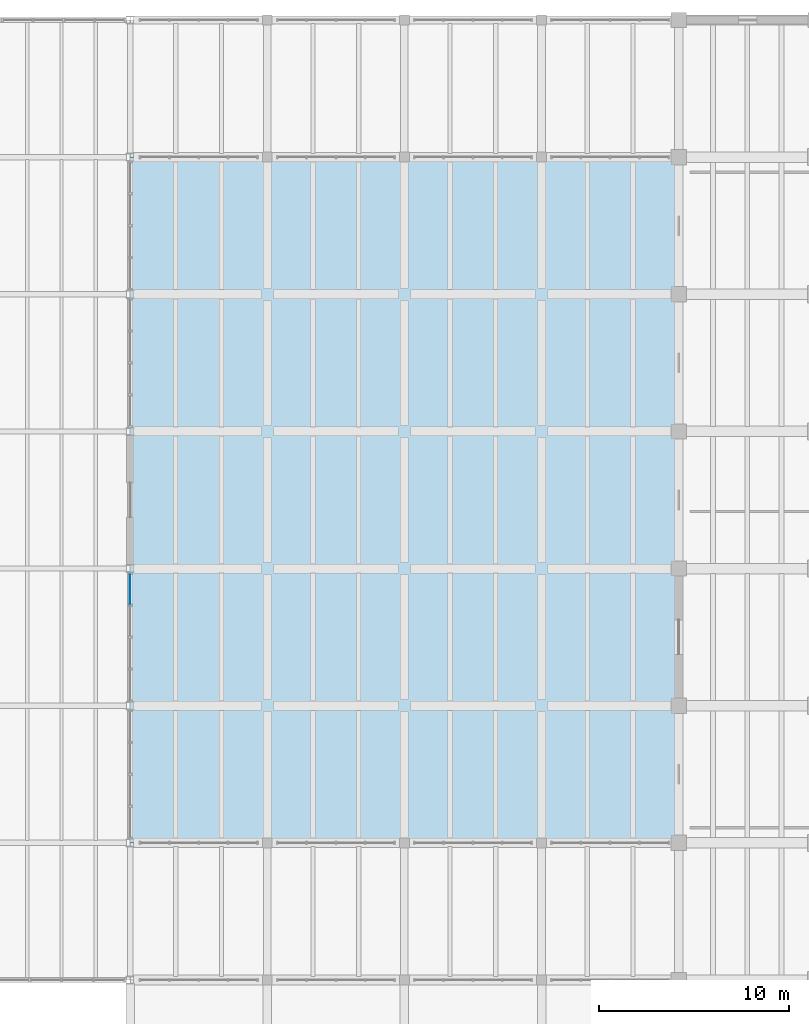
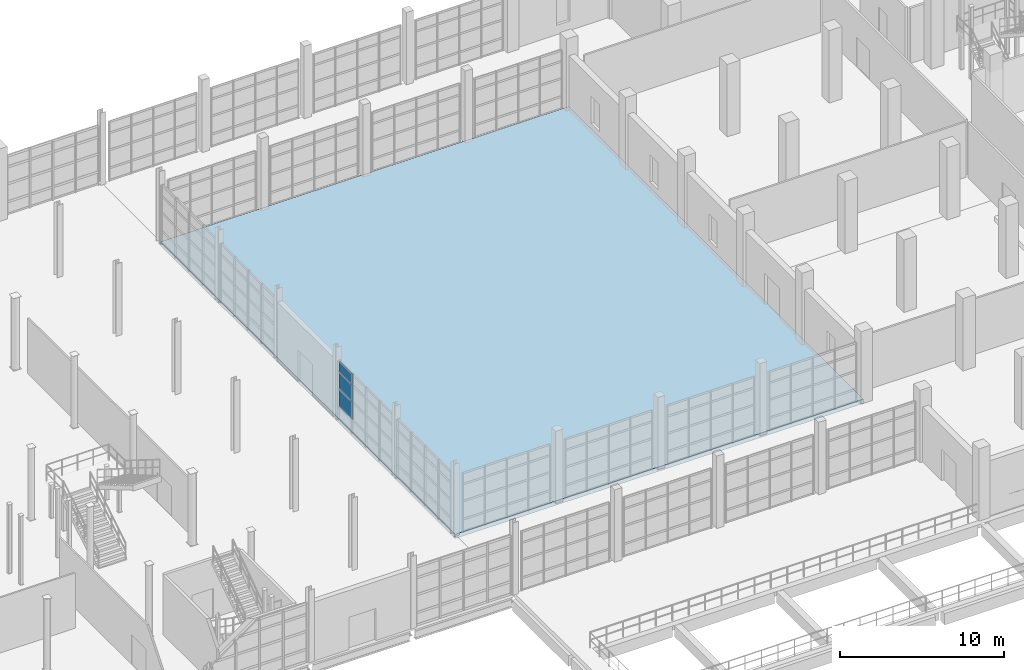
# One storey, part 54 of 79: 3 plates, 1 slab, 1 element without a shape of its own.
"""IFC4 building model written with IfcOpenShell, lengths in metres."""

from ifc_helpers import new_model, si_unit, direction, frame, frame_2d, origin, place, context, subcontext, project, spatial, polyline, rectangle, outline, extrude, material, layer, layer_set, type_object, element, aggregate, save


model = new_model("IFC4")

# Units and contexts
model_context = context("Model", 3, precision=1e-05, world=origin(), true_north=direction((0.0, 1.0)))
body_context = subcontext(model_context, "Body", "Model", "MODEL_VIEW")
ifc_project = project(units=[si_unit("LENGTHUNIT", "METRE"), si_unit("AREAUNIT", "SQUARE_METRE"), si_unit("VOLUMEUNIT", "CUBIC_METRE"), si_unit("PLANEANGLEUNIT", "RADIAN"), si_unit("MASSUNIT", "GRAM", prefix="KILO")], contexts=[model_context])

# Site, building, storey
site_placement = place(None, origin())
site = spatial("IfcSite", under=ifc_project, at=site_placement, CompositionType="ELEMENT")
building_placement = place(site_placement, origin())
building = spatial("IfcBuilding", under=site, at=building_placement, Name="Qiaolan Assembly House", CompositionType="ELEMENT")
storey_placement = place(building_placement, origin())
storey = spatial("IfcBuildingStorey", under=building, at=storey_placement, Name="L00", CompositionType="ELEMENT", Elevation=0.0)

# Curtain wall, plates
ifc_material_1 = material(Name="Anodised bronze aluminium", Category="aluminium")
curtain_wall_type = type_object("IfcCurtainWallType", Name="CW-HALL-MAIN-540", PredefinedType="NOTDEFINED", material=ifc_material_1)
curtain_wall_placement = place(storey_placement, origin())
curtain_wall = element("IfcCurtainWall", 1, at=curtain_wall_placement, inside=storey, type_object=curtain_wall_type, Name="CW-01 Hall East court curtain wall L00-2", PredefinedType="NOTDEFINED")
ifc_material_2 = material(Name="Low-E double insulating glass", Category="glass")
ifc_layer_1 = layer(ifc_material_2, 0.035888671875)
ifc_layer_set_1 = layer_set([ifc_layer_1], Name="Low-E double insulating glass")
plate_type = type_object("IfcPlateType", Name="CW-HALL-MAIN-540-PNL", PredefinedType="CURTAIN_PANEL", material=ifc_layer_set_1)
plate_1_placement = place(storey_placement, frame((108.0, 57.31201171875, 0.98291015625), z_axis=(0.0, 0.0, 1.0), x_axis=(0.0, -1.0, 0.0)))
plate_1 = element("IfcPlate", 2, at=plate_1_placement, type_object=plate_type, Name="GL-01 glazing panel CW-HALL-E-L00-01-2", PredefinedType="CURTAIN_PANEL", context=body_context, shape_type="SweptSolid", body=[
    extrude(rectangle(XDim=1.59912109375, YDim=0.035888671875, at=frame_2d((0.799560546875, 0.0))), origin(), (0.0, 0.0, 1.0), 1.27197265625),
])
plate_2_placement = place(storey_placement, frame((108.0, 57.31201171875, 2.321044921875), z_axis=(0.0, 0.0, 1.0), x_axis=(0.0, -1.0, 0.0)))
plate_2 = element("IfcPlate", 3, at=plate_2_placement, type_object=plate_type, Name="GL-01 glazing panel CW-HALL-E-L00-01-3", PredefinedType="CURTAIN_PANEL", context=body_context, shape_type="SweptSolid", body=[
    extrude(rectangle(XDim=1.59912109375, YDim=0.035888671875, at=frame_2d((0.799560546875, 0.0))), origin(), (0.0, 0.0, 1.0), 1.196044921875),
])
plate_3_placement = place(storey_placement, frame((108.0, 57.31201171875, 3.5830078125), z_axis=(0.0, 0.0, 1.0), x_axis=(0.0, -1.0, 0.0)))
plate_3 = element("IfcPlate", 4, at=plate_3_placement, type_object=plate_type, Name="GL-01 glazing panel CW-HALL-E-L00-01-4", PredefinedType="CURTAIN_PANEL", context=body_context, shape_type="SweptSolid", body=[
    extrude(rectangle(XDim=1.59912109375, YDim=0.035888671875, at=frame_2d((0.799560546875, 0.0))), origin(), (0.0, 0.0, 1.0), 0.75390625),
])
aggregate(curtain_wall, [plate_1, plate_2, plate_3])

# Slab
ifc_material_3 = material(Name="Concrete C40/50", Category="concrete")
ifc_layer_2 = layer(ifc_material_3, 0.324951171875)
ifc_layer_set_2 = layer_set([ifc_layer_2], Name="Concrete C40/50")
slab_type = type_object("IfcSlabType", Name="SLB-ROOF-COURT-325", PredefinedType="ROOF", material=ifc_layer_set_2)
slab_placement = place(storey_placement, frame((0.0, 0.0, -0.324951171875)))
element("IfcSlab", 5, at=slab_placement, inside=storey, type_object=slab_type, Name="RS-06 East Cloister Landscaped Courtyard Slab over B1", PredefinedType="ROOF", context=body_context, shape_type="SweptSolid", body=[
    extrude(outline(polyline([(108.0, 43.199951171875), (136.800048828125, 43.199951171875), (136.800048828125, 79.199951171875), (108.0, 79.199951171875), (108.0, 43.199951171875)])), origin(), (0.0, 0.0, 1.0), 0.324951171875),
])

save(model, "model.ifc")
